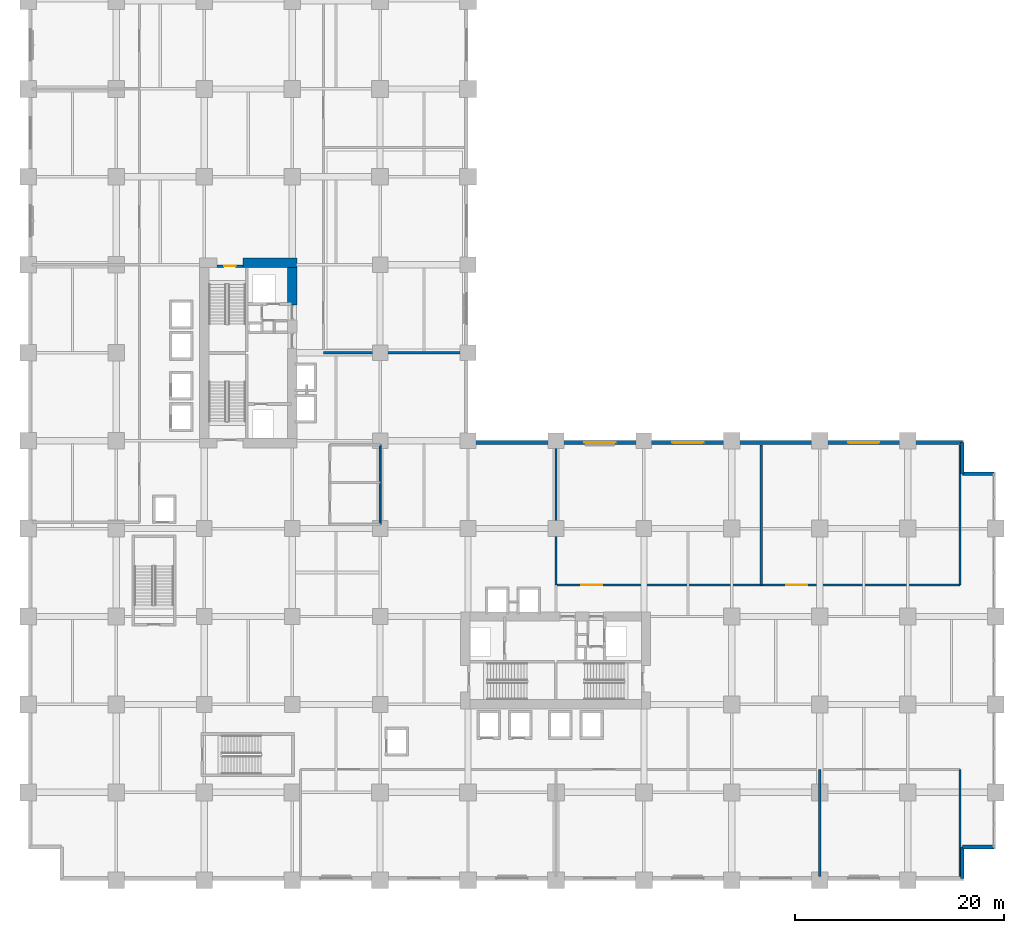
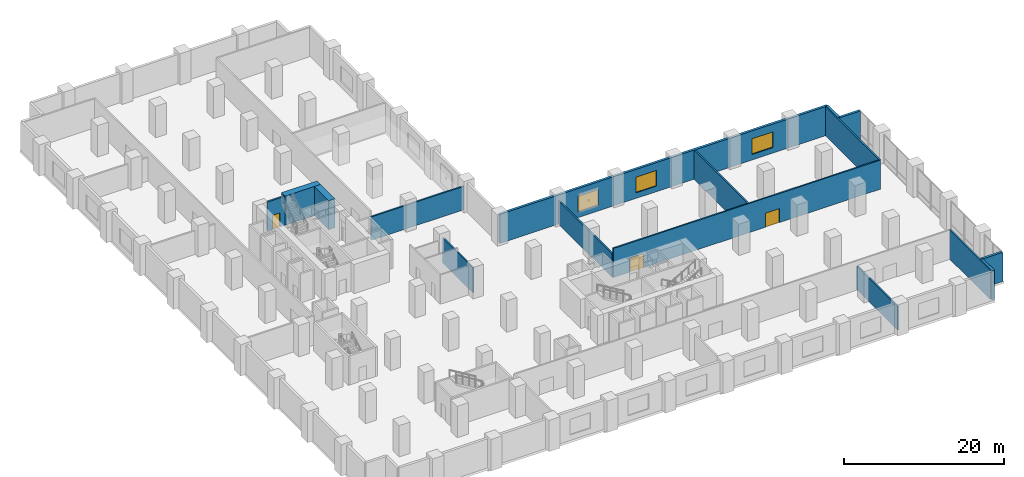
# One storey, part 13 of 22: 16 walls, 3 doors, 3 windows, 6 openings.
"""IFC4 building model written with IfcOpenShell, lengths in metres."""

from ifc_helpers import new_model, si_unit, direction, frame, frame_2d, origin, place, context, subcontext, project, spatial, rectangle, extrude, material, layer, layer_set, type_object, element, fill, save


model = new_model("IFC4")

# Units and contexts
model_context = context("Model", 3, precision=1e-05, world=origin(), true_north=direction((0.0, 1.0)))
body_context = subcontext(model_context, "Body", "Model", "MODEL_VIEW")
ifc_project = project(units=[si_unit("LENGTHUNIT", "METRE"), si_unit("AREAUNIT", "SQUARE_METRE"), si_unit("VOLUMEUNIT", "CUBIC_METRE"), si_unit("PLANEANGLEUNIT", "RADIAN"), si_unit("MASSUNIT", "GRAM", prefix="KILO")], contexts=[model_context])

# Site, building, storey
site_placement = place(None, origin())
site = spatial("IfcSite", under=ifc_project, at=site_placement, CompositionType="ELEMENT")
building_placement = place(site_placement, origin())
building = spatial("IfcBuilding", under=site, at=building_placement, Name="Koriwani Terraces Tower", CompositionType="ELEMENT")
storey_placement = place(building_placement, frame((0.0, 0.0, 10.800048828125)))
storey = spatial("IfcBuildingStorey", under=building, at=storey_placement, Name="L02", CompositionType="ELEMENT", Elevation=10.800048828125)

# Walls
ifc_material_1 = material(Name="Concrete C60/75", Category="concrete")
ifc_layer_1 = layer(ifc_material_1, 0.89990234375, Name="Concrete C60/75")
ifc_layer_set_1 = layer_set([ifc_layer_1], Name="Concrete C60/75")
wall_type_1 = type_object("IfcWallType", Name="WALL_CORE_RC_900", PredefinedType="SHEAR", material=ifc_layer_set_1)
wall_1_placement = place(storey_placement, frame((20.5, 59.0, 0.0), z_axis=(0.0, 0.0, 1.0), x_axis=(1.0, 0.0, 0.0)))
element("IfcWall", 1, at=wall_1_placement, inside=storey, type_object=wall_type_1, Name="L02 West Split Core Shear Wall N2", PredefinedType="SHEAR", context=body_context, shape_type="SweptSolid", body=[
    extrude(rectangle(XDim=5.14990234375, YDim=0.89990234375, at=frame_2d((2.574951171875, 0.0))), origin(), (0.0, 0.0, 1.0), 4.449951171875),
])
wall_2_placement = place(storey_placement, frame((25.199951171875, 54.949951171875, 0.0), z_axis=(0.0, 0.0, 1.0), x_axis=(0.0, 1.0, 0.0)))
element("IfcWall", 2, at=wall_2_placement, inside=storey, type_object=wall_type_1, Name="L02 West Split Core Shear Wall E3", PredefinedType="SHEAR", context=body_context, shape_type="SweptSolid", body=[
    extrude(rectangle(XDim=3.60009765625, YDim=0.89990234375, at=frame_2d((1.800048828125, 0.0))), origin(), (0.0, 0.0, 1.0), 4.449951171875),
])

# Wall, openings, doors
ifc_material_2 = material(Name="Autoclaved Cellular Concrete Blockwork", Category="masonry")
ifc_layer_2 = layer(ifc_material_2, 0.199951171875, Name="Autoclaved Cellular Concrete Blockwork")
ifc_layer_set_2 = layer_set([ifc_layer_2], Name="Autoclaved Cellular Concrete Blockwork")
wall_type_2 = type_object("IfcWallType", Name="WALL_CORRIDOR_200", PredefinedType="PARTITIONING", material=ifc_layer_set_2)
wall_3_placement = place(storey_placement, frame((50.39990234375, 28.199951171875, 0.0), z_axis=(0.0, 0.0, 1.0), x_axis=(1.0, 0.0, 0.0)))
wall_3 = element("IfcWall", 3, at=wall_3_placement, inside=storey, type_object=wall_type_2, Name="L02 Interior Wall WPOD-INE-L02-0", PredefinedType="PARTITIONING", context=body_context, shape_type="SweptSolid", body=[
    extrude(rectangle(XDim=38.60009765625, YDim=0.199951171875, at=frame_2d((19.300048828125, 0.0))), origin(), (0.0, 0.0, 1.0), 4.449951171875),
])
opening_1_placement = place(wall_3_placement, frame((2.39990234375, 0.0, 0.0)))
opening_1 = element("IfcOpeningElement", 4, at=opening_1_placement, cuts=wall_3, Name="Opening D-02", PredefinedType="OPENING", context=body_context, shape_type="SweptSolid", body=[
    extrude(rectangle(XDim=2.0, YDim=2.14990234375, at=frame_2d((1.0, 1.074951171875))), frame((0.0, 0.10986328125, 0.0), z_axis=(0.0, -1.0, 0.0), x_axis=(1.0, 0.0, 0.0)), (0.0, 0.0, 1.0), 0.219970703125),
])
opening_2_placement = place(wall_3_placement, frame((22.0, 0.0, 0.0)))
opening_2 = element("IfcOpeningElement", 5, at=opening_2_placement, cuts=wall_3, Name="Opening D-02", PredefinedType="OPENING", context=body_context, shape_type="SweptSolid", body=[
    extrude(rectangle(XDim=2.0, YDim=2.14990234375, at=frame_2d((1.0, 1.074951171875))), frame((0.0, 0.10986328125, 0.0), z_axis=(0.0, -1.0, 0.0), x_axis=(1.0, 0.0, 0.0)), (0.0, 0.0, 1.0), 0.219970703125),
])
ifc_material_3 = material(Name="Anodised Bronze Aluminium", Category="aluminium")
door_type_1 = type_object("IfcDoorType", Name="DOOR_ENTRANCE_DOUBLE_2000X2400", OperationType="NOTDEFINED", PredefinedType="DOOR", material=ifc_material_3)
door_1_placement = place(opening_1_placement, origin())
door_1 = element("IfcDoor", 6, at=door_1_placement, inside=storey, type_object=door_type_1, Name="L02 East Galleria Pavilion 1 Door", OperationType="SINGLE_SWING_RIGHT", OverallHeight=2.14990234375, OverallWidth=2.0, PredefinedType="DOOR", context=body_context, shape_type="SweptSolid", body=[
    extrude(rectangle(XDim=2.0, YDim=2.14990234375, at=frame_2d((1.0, 1.074951171875))), frame((0.0, 0.02490234375, 0.0), z_axis=(0.0, -1.0, 0.0), x_axis=(1.0, 0.0, 0.0)), (0.0, 0.0, 1.0), 0.050048828125),
])
fill(opening_1, door_1)
door_2_placement = place(opening_2_placement, origin())
door_2 = element("IfcDoor", 7, at=door_2_placement, inside=storey, type_object=door_type_1, Name="L02 East Galleria Pavilion 2 Door", OperationType="SINGLE_SWING_LEFT", OverallHeight=2.14990234375, OverallWidth=2.0, PredefinedType="DOOR", context=body_context, shape_type="SweptSolid", body=[
    extrude(rectangle(XDim=2.0, YDim=2.14990234375, at=frame_2d((1.0, 1.074951171875))), frame((0.0, 0.02490234375, 0.0), z_axis=(0.0, -1.0, 0.0), x_axis=(1.0, 0.0, 0.0)), (0.0, 0.0, 1.0), 0.050048828125),
])
fill(opening_2, door_2)

# Walls
ifc_layer_3 = layer(ifc_material_2, 0.219970703125, Name="Autoclaved Cellular Concrete Blockwork")
ifc_layer_set_3 = layer_set([ifc_layer_3], Name="Autoclaved Cellular Concrete Blockwork")
wall_type_3 = type_object("IfcWallType", Name="WALL_DEMISING_220", PredefinedType="PARTITIONING", material=ifc_layer_set_3)
wall_4_placement = place(storey_placement, frame((75.60009765625, 0.35009765625, 0.0), z_axis=(0.0, 0.0, 1.0), x_axis=(0.0, 1.0, 0.0)))
element("IfcWall", 8, at=wall_4_placement, inside=storey, type_object=wall_type_3, Name="L02 Interior Wall WPOD-SD-L02-2", PredefinedType="PARTITIONING", context=body_context, shape_type="SweptSolid", body=[
    extrude(rectangle(XDim=10.25, YDim=0.219970703125, at=frame_2d((5.125, 0.0))), origin(), (0.0, 0.0, 1.0), 3.599853515625),
])
wall_5_placement = place(storey_placement, frame((89.0, 0.35009765625, 0.0), z_axis=(0.0, 0.0, 1.0), x_axis=(0.0, 1.0, 0.0)))
element("IfcWall", 9, at=wall_5_placement, inside=storey, type_object=wall_type_3, Name="L02 Interior Wall WPOD-SDE-L02", PredefinedType="PARTITIONING", context=body_context, shape_type="SweptSolid", body=[
    extrude(rectangle(XDim=10.25, YDim=0.219970703125, at=frame_2d((5.125, 0.0))), origin(), (0.0, 0.0, 1.0), 4.449951171875),
])
for number, where, z_axis, x_axis, name in (
    (10, (28.199951171875, 50.39990234375, 0.0), (0.0, 0.0, 1.0), (1.0, 0.0, 0.0), "L02 Interior Wall WPOD-INWD-L02-0"),
    (11, (50.39990234375, 28.199951171875, 0.0), (0.0, 0.0, 1.0), (0.0, 1.0, 0.0), "L02 Interior Wall WPOD-INED-L02-0"),
):
    element("IfcWall", number, at=place(storey_placement, frame(where, z_axis=z_axis, x_axis=x_axis)), inside=storey, type_object=wall_type_3, Name=name, PredefinedType="PARTITIONING", context=body_context, shape_type="SweptSolid", body=[
        extrude(rectangle(XDim=13.400146484375, YDim=0.219970703125, at=frame_2d((6.7001953125, 0.0))), origin(), (0.0, 0.0, 1.0), 3.599853515625),
    ])
for number, where, z_axis, x_axis, name in (
    (12, (70.0, 28.199951171875, 0.0), (0.0, 0.0, 1.0), (0.0, 1.0, 0.0), "L02 Interior Wall WPOD-INED-L02-1"),
    (13, (89.0, 28.199951171875, 0.0), (0.0, 0.0, 1.0), (0.0, 1.0, 0.0), "L02 Interior Wall WPOD-INEDE-L02"),
):
    element("IfcWall", number, at=place(storey_placement, frame(where, z_axis=z_axis, x_axis=x_axis)), inside=storey, type_object=wall_type_3, Name=name, PredefinedType="PARTITIONING", context=body_context, shape_type="SweptSolid", body=[
        extrude(rectangle(XDim=13.400146484375, YDim=0.219970703125, at=frame_2d((6.7001953125, 0.0))), origin(), (0.0, 0.0, 1.0), 4.449951171875),
    ])

# Wall, openings, windows
ifc_material_4 = material(Name="Concrete C50/60", Category="concrete")
ifc_layer_4 = layer(ifc_material_4, 0.35009765625, Name="Concrete C50/60")
ifc_layer_set_4 = layer_set([ifc_layer_4], Name="Concrete C50/60")
wall_type_4 = type_object("IfcWallType", Name="WALL_EXT_BRUTALIST_350", PredefinedType="STANDARD", material=ifc_layer_set_4)
wall_6_placement = place(storey_placement, frame((41.824951171875, 41.824951171875, 0.0), z_axis=(0.0, 0.0, 1.0), x_axis=(1.0, 0.0, 0.0)))
wall_6 = element("IfcWall", 14, at=wall_6_placement, inside=storey, type_object=wall_type_4, Name="L02 Fair-Faced Brutalist Exterior Wall (NE)", PredefinedType="STANDARD", context=body_context, shape_type="SweptSolid", body=[
    extrude(rectangle(XDim=47.400146484375, YDim=0.35009765625, at=frame_2d((23.7001953125, 0.0))), origin(), (0.0, 0.0, 1.0), 4.449951171875),
])
opening_3_placement = place(wall_6_placement, frame((11.27490234375, 0.0, 0.85009765625)))
opening_3 = element("IfcOpeningElement", 15, at=opening_3_placement, cuts=wall_6, Name="Opening W-06", PredefinedType="OPENING", context=body_context, shape_type="SweptSolid", body=[
    extrude(rectangle(XDim=3.0, YDim=2.39990234375, at=frame_2d((1.5, 1.199951171875))), frame((0.0, 0.18505859375, 0.0), z_axis=(0.0, -1.0, 0.0), x_axis=(1.0, 0.0, 0.0)), (0.0, 0.0, 1.0), 0.3701171875),
])
opening_4_placement = place(wall_6_placement, frame((19.675048828125, 0.0, 0.85009765625)))
opening_4 = element("IfcOpeningElement", 16, at=opening_4_placement, cuts=wall_6, Name="Opening W-06", PredefinedType="OPENING", context=body_context, shape_type="SweptSolid", body=[
    extrude(rectangle(XDim=3.0, YDim=2.39990234375, at=frame_2d((1.5, 1.199951171875))), frame((0.0, 0.18505859375, 0.0), z_axis=(0.0, -1.0, 0.0), x_axis=(1.0, 0.0, 0.0)), (0.0, 0.0, 1.0), 0.3701171875),
])
opening_5_placement = place(wall_6_placement, frame((36.47509765625, 0.0, 0.85009765625)))
opening_5 = element("IfcOpeningElement", 17, at=opening_5_placement, cuts=wall_6, Name="Opening W-06", PredefinedType="OPENING", context=body_context, shape_type="SweptSolid", body=[
    extrude(rectangle(XDim=3.0, YDim=2.39990234375, at=frame_2d((1.5, 1.199951171875))), frame((0.0, 0.18505859375, 0.0), z_axis=(0.0, -1.0, 0.0), x_axis=(1.0, 0.0, 0.0)), (0.0, 0.0, 1.0), 0.3701171875),
])
ifc_material_5 = material(Name="Tempered Laminated Low-E Glass", Category="glass")
window_type = type_object("IfcWindowType", Name="WIN_PODIUM_PUNCHED_3000X2400", PartitioningType="TRIPLE_PANEL_VERTICAL", PredefinedType="WINDOW", material=ifc_material_5)
window_1_placement = place(opening_3_placement, origin())
window_1 = element("IfcWindow", 18, at=window_1_placement, inside=storey, type_object=window_type, Name="L02 Exterior Window (NE-5)", OverallHeight=2.39990234375, OverallWidth=3.0, PartitioningType="SINGLE_PANEL", PredefinedType="WINDOW", context=body_context, shape_type="SweptSolid", body=[
    extrude(rectangle(XDim=3.0, YDim=2.39990234375, at=frame_2d((1.5, 1.199951171875))), frame((0.0, 0.030029296875, 0.0), z_axis=(0.0, -1.0, 0.0), x_axis=(1.0, 0.0, 0.0)), (0.0, 0.0, 1.0), 0.06005859375),
])
fill(opening_3, window_1)
window_2_placement = place(opening_4_placement, origin())
window_2 = element("IfcWindow", 19, at=window_2_placement, inside=storey, type_object=window_type, Name="L02 Exterior Window (NE-8)", OverallHeight=2.39990234375, OverallWidth=3.0, PartitioningType="SINGLE_PANEL", PredefinedType="WINDOW", context=body_context, shape_type="SweptSolid", body=[
    extrude(rectangle(XDim=3.0, YDim=2.39990234375, at=frame_2d((1.5, 1.199951171875))), frame((0.0, 0.030029296875, 0.0), z_axis=(0.0, -1.0, 0.0), x_axis=(1.0, 0.0, 0.0)), (0.0, 0.0, 1.0), 0.06005859375),
])
fill(opening_4, window_2)
window_3_placement = place(opening_5_placement, origin())
window_3 = element("IfcWindow", 20, at=window_3_placement, inside=storey, type_object=window_type, Name="L02 Exterior Window (NE-14)", OverallHeight=2.39990234375, OverallWidth=3.0, PartitioningType="SINGLE_PANEL", PredefinedType="WINDOW", context=body_context, shape_type="SweptSolid", body=[
    extrude(rectangle(XDim=3.0, YDim=2.39990234375, at=frame_2d((1.5, 1.199951171875))), frame((0.0, 0.030029296875, 0.0), z_axis=(0.0, -1.0, 0.0), x_axis=(1.0, 0.0, 0.0)), (0.0, 0.0, 1.0), 0.06005859375),
])
fill(opening_5, window_3)

# Walls
for number, where, z_axis, x_axis, name in (
    (21, (89.22509765625, 41.824951171875, 0.0), (0.0, 0.0, 1.0), (0.0, -1.0, 0.0), "L02 Fair-Faced Brutalist Exterior Wall (N10)"),
    (22, (89.22509765625, 38.824951171875, 0.0), (0.0, 0.0, 1.0), (1.0, 0.0, 0.0), "L02 Fair-Faced Brutalist Exterior Wall (N11)"),
    (23, (92.22509765625, 3.175048828125, 0.0), (0.0, 0.0, 1.0), (-1.0, 0.0, 0.0), "L02 Fair-Faced Brutalist Exterior Wall (N13)"),
    (24, (89.22509765625, 3.175048828125, 0.0), (0.0, 0.0, 1.0), (0.0, -1.0, 0.0), "L02 Fair-Faced Brutalist Exterior Wall (N14)"),
):
    element("IfcWall", number, at=place(storey_placement, frame(where, z_axis=z_axis, x_axis=x_axis)), inside=storey, type_object=wall_type_4, Name=name, PredefinedType="STANDARD", context=body_context, shape_type="SweptSolid", body=[
        extrude(rectangle(XDim=3.0, YDim=0.35009765625, at=frame_2d((1.5, 0.0))), origin(), (0.0, 0.0, 1.0), 4.449951171875),
    ])
ifc_material_6 = material(Name="Fire-Rated Acoustic Gypsum Partition", Category="masonry")
ifc_layer_5 = layer(ifc_material_6, 0.179931640625, Name="Fire-Rated Acoustic Gypsum Partition")
ifc_layer_set_5 = layer_set([ifc_layer_5], Name="Fire-Rated Acoustic Gypsum Partition")
wall_type_5 = type_object("IfcWallType", Name="WALL_PLUMBING_180", PredefinedType="PLUMBINGWALL", material=ifc_layer_set_5)
wall_7_placement = place(storey_placement, frame((33.60009765625, 34.0, 0.0), z_axis=(0.0, 0.0, 1.0), x_axis=(0.0, 1.0, 0.0)))
element("IfcWall", 25, at=wall_7_placement, inside=storey, type_object=wall_type_5, Name="L02 Interior Wall WPOD-WCE-L02", PredefinedType="PLUMBINGWALL", context=body_context, shape_type="SweptSolid", body=[
    extrude(rectangle(XDim=7.60009765625, YDim=0.179931640625, at=frame_2d((3.800048828125, 0.0))), origin(), (0.0, 0.0, 1.0), 3.8388671875),
])

# Wall, opening, door
ifc_material_7 = material(Name="Concrete C40/50", Category="concrete")
ifc_layer_6 = layer(ifc_material_7, 0.25, Name="Concrete C40/50")
ifc_layer_set_6 = layer_set([ifc_layer_6], Name="Concrete C40/50")
wall_type_6 = type_object("IfcWallType", Name="WALL_SHAFT_RATED_250", PredefinedType="SOLIDWALL", material=ifc_layer_set_6)
wall_8_placement = place(storey_placement, frame((18.0, 58.675048828125, 0.0), z_axis=(0.0, 0.0, 1.0), x_axis=(1.0, 0.0, 0.0)))
wall_8 = element("IfcWall", 26, at=wall_8_placement, inside=storey, type_object=wall_type_6, Name="L02 Interior Wall WIN-CW-L02-STN", PredefinedType="SOLIDWALL", context=body_context, shape_type="SweptSolid", body=[
    extrude(rectangle(XDim=2.5, YDim=0.25, at=frame_2d((1.25, 0.0))), origin(), (0.0, 0.0, 1.0), 4.449951171875),
])
opening_6_placement = place(wall_8_placement, frame((0.699951171875, 0.0, 0.0)))
opening_6 = element("IfcOpeningElement", 27, at=opening_6_placement, cuts=wall_8, Name="Opening D-03", PredefinedType="OPENING", context=body_context, shape_type="SweptSolid", body=[
    extrude(rectangle(XDim=1.10009765625, YDim=2.14990234375, at=frame_2d((0.550048828125, 1.074951171875))), frame((0.0, 0.135009765625, 0.0), z_axis=(0.0, -1.0, 0.0), x_axis=(1.0, 0.0, 0.0)), (0.0, 0.0, 1.0), 0.27001953125),
])
ifc_material_8 = material(Name="Steel ASTM A572 Grade 50", Category="steel")
door_type_2 = type_object("IfcDoorType", Name="DOOR_STAIR_FIRE_1100X2150", OperationType="NOTDEFINED", PredefinedType="DOOR", material=ifc_material_8)
door_3_placement = place(opening_6_placement, origin())
door_3 = element("IfcDoor", 28, at=door_3_placement, inside=storey, type_object=door_type_2, Name="L02 Exit Stair ST-W2 Door", OperationType="SINGLE_SWING_LEFT", OverallHeight=2.14990234375, OverallWidth=1.10009765625, PredefinedType="DOOR", context=body_context, shape_type="SweptSolid", body=[
    extrude(rectangle(XDim=1.10009765625, YDim=2.14990234375, at=frame_2d((0.550048828125, 1.074951171875))), frame((0.0, 0.02490234375, 0.0), z_axis=(0.0, -1.0, 0.0), x_axis=(1.0, 0.0, 0.0)), (0.0, 0.0, 1.0), 0.050048828125),
])
fill(opening_6, door_3)

save(model, "model.ifc")
